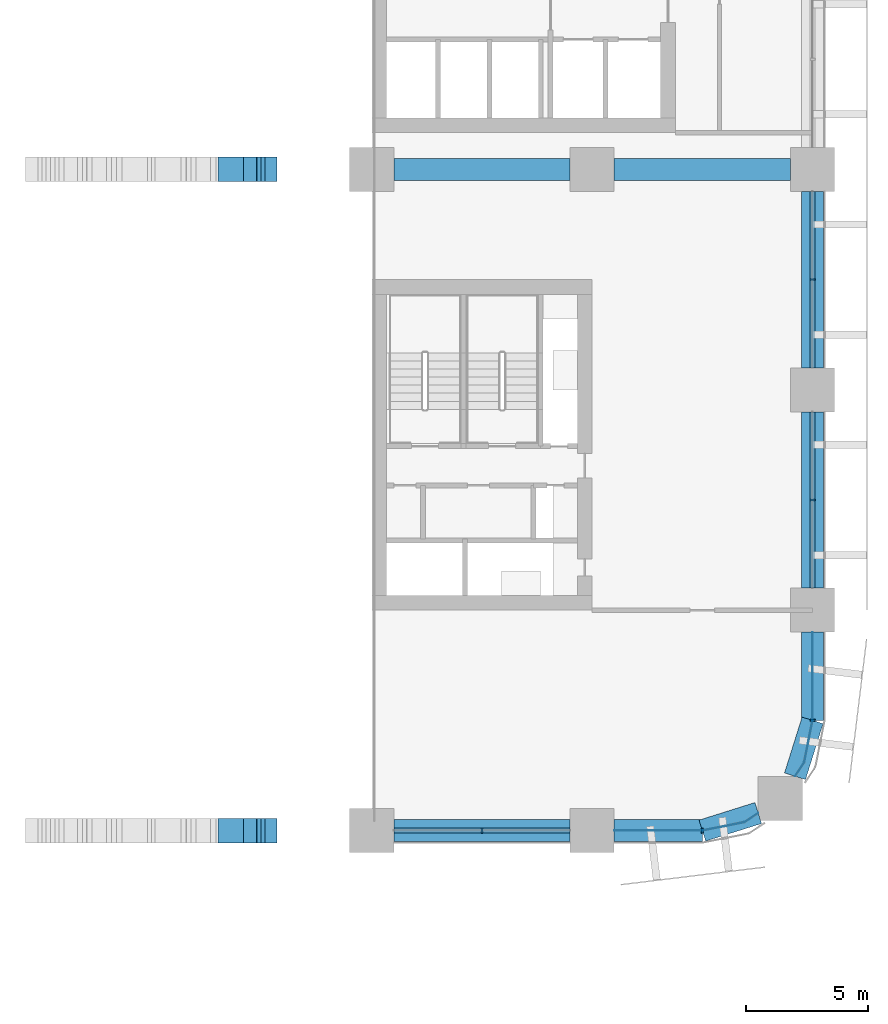
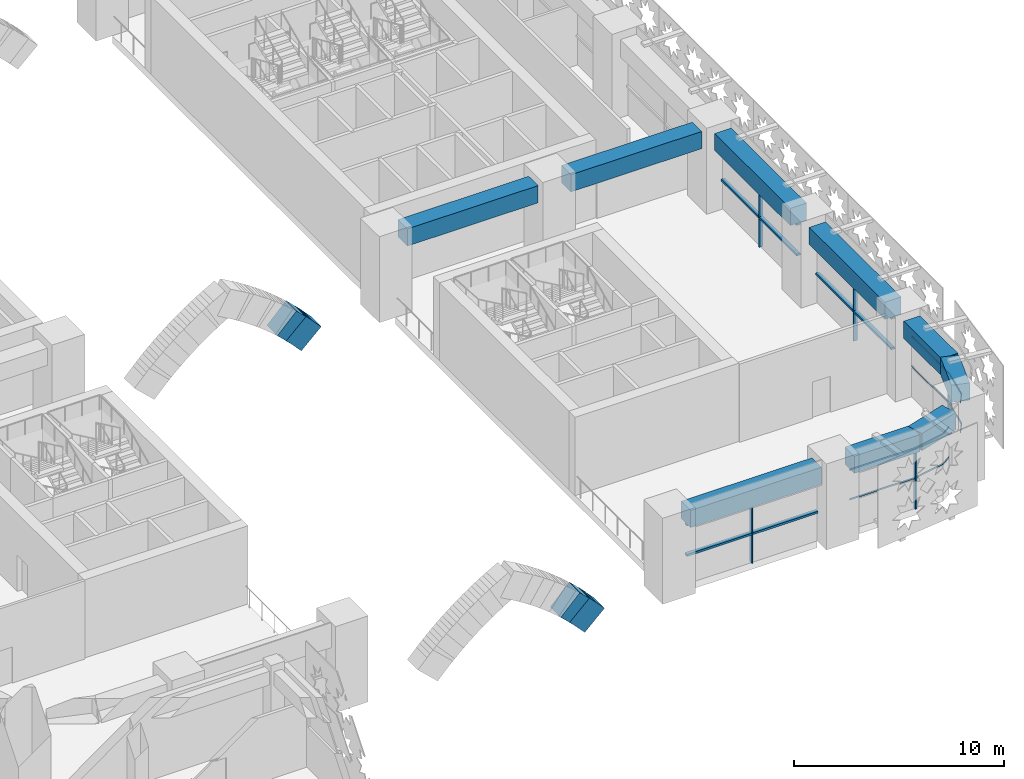
# One storey, part 6 of 40: 19 members, 9 beams, 5 elements without a shape of their own.
"""IFC4 building model written with IfcOpenShell, lengths in metres."""

from ifc_helpers import new_model, si_unit, direction, frame, origin, origin_2d, place, context, subcontext, project, spatial, polyline, rectangle, outline, extrude, material, material_profile, profile_set, type_object, element, aggregate, save


model = new_model("IFC4")

# Units and contexts
model_context = context("Model", 3, precision=1e-05, world=origin(), true_north=direction((0.0, 1.0)))
body_context = subcontext(model_context, "Body", "Model", "MODEL_VIEW")
ifc_project = project(units=[si_unit("LENGTHUNIT", "METRE"), si_unit("AREAUNIT", "SQUARE_METRE"), si_unit("VOLUMEUNIT", "CUBIC_METRE"), si_unit("PLANEANGLEUNIT", "RADIAN"), si_unit("MASSUNIT", "GRAM", prefix="KILO")], contexts=[model_context])

# Site, building, storey
site_placement = place(None, origin())
site = spatial("IfcSite", under=ifc_project, at=site_placement, CompositionType="ELEMENT")
building_placement = place(site_placement, origin())
building = spatial("IfcBuilding", under=site, at=building_placement, Name="Tessera Arch", CompositionType="ELEMENT")
storey_placement = place(building_placement, frame((0.0, 0.0, 21.0)))
storey = spatial("IfcBuildingStorey", under=building, at=storey_placement, Name="L03", CompositionType="ELEMENT", Elevation=21.0)

# Members
ifc_material_1 = material(Name="Concrete C80/95", Category="concrete")
ifc_material_profile_1 = material_profile(ifc_material_1, rectangle(XDim=1.0, YDim=1.5, at=origin_2d()), Name="RC 1000x1500")
ifc_profile_set_1 = profile_set([ifc_material_profile_1], Name="Concrete C80/95")
member_type_1 = type_object("IfcMemberType", Name="Arch rib RC 1000x1500", PredefinedType="MEMBER", material=ifc_profile_set_1)
for number, where, z_axis, x_axis, name in (
    (1, (31.590576171875, 0.0, 0.057861328125), (-0.686468964072, 0.0, 0.727159103199), (0.0, -1.0, 0.0), "Arch rib A segment 25"),
    (2, (31.113525390625, 0.0, 0.57861328125), (-0.716556380698, 0.0, 0.697529177369), (0.0, -1.0, 0.0), "Arch rib A segment 26"),
    (3, (31.590576171875, 27.0, 0.057861328125), (-0.686468964072, 0.0, 0.727159103199), (0.0, -1.0, 0.0), "Arch rib B segment 25"),
    (4, (31.113525390625, 27.0, 0.57861328125), (-0.716556380698, 0.0, 0.697529177369), (0.0, -1.0, 0.0), "Arch rib B segment 26"),
):
    element("IfcMember", number, at=place(storey_placement, frame(where, z_axis=z_axis, x_axis=x_axis)), inside=storey, type_object=member_type_1, Name=name, PredefinedType="MEMBER", context=body_context, shape_type="SweptSolid", body=[
        extrude(rectangle(XDim=1.0, YDim=1.5, at=origin_2d()), origin(), (0.0, 0.0, 1.0), 1.2060546875),
    ])

# Curtain wall, member
ifc_material_2 = material(Name="CW2 curtain wall")
curtain_wall_type_1 = type_object("IfcCurtainWallType", Name="CW2 curtain wall", PredefinedType="NOTDEFINED", material=ifc_material_2)
curtain_wall_1_placement = place(storey_placement, origin())
curtain_wall_1 = element("IfcCurtainWall", 5, at=curtain_wall_1_placement, inside=storey, type_object=curtain_wall_type_1, Name="CW2 curtain wall S0.36/1 L03", PredefinedType="NOTDEFINED")
ifc_material_3 = material(Name="Anodised aluminium pale metal", Category="aluminium")
ifc_material_profile_2 = material_profile(ifc_material_3, rectangle(XDim=0.199951171875, YDim=0.080078125, at=origin_2d()), Name="AL 80x200")
ifc_profile_set_2 = profile_set([ifc_material_profile_2], Name="Anodised aluminium pale metal")
member_type_2 = type_object("IfcMemberType", Name="CW2 mullion", PredefinedType="MULLION", material=ifc_profile_set_2)
member_1_placement = place(storey_placement, frame((49.5, 0.0, 0.0), z_axis=(0.0, 0.0, 1.0), x_axis=(0.0, 1.0, 0.0)))
member_1 = element("IfcMember", 6, at=member_1_placement, type_object=member_type_2, Name="CW2 mullion S0.36/1 1", PredefinedType="MULLION", context=body_context, shape_type="SweptSolid", body=[
    extrude(rectangle(XDim=0.199951171875, YDim=0.080078125, at=origin_2d()), origin(), (0.0, 0.0, 1.0), 3.449951171875),
])

curtain_wall_2_placement = place(storey_placement, origin())
curtain_wall_2 = element("IfcCurtainWall", 7, at=curtain_wall_2_placement, inside=storey, type_object=curtain_wall_type_1, Name="CW2 curtain wall E54.0/5 L03", PredefinedType="NOTDEFINED")
member_2_placement = place(storey_placement, frame((54.0, 4.5, 0.0), z_axis=(0.0, 0.0, 1.0), x_axis=(-1.0, 0.0, 0.0)))
member_2 = element("IfcMember", 8, at=member_2_placement, type_object=member_type_2, Name="CW2 mullion E54.0/5 1", PredefinedType="MULLION", context=body_context, shape_type="SweptSolid", body=[
    extrude(rectangle(XDim=0.199951171875, YDim=0.080078125, at=origin_2d()), origin(), (0.0, 0.0, 1.0), 3.449951171875),
])

# Member
ifc_material_4 = material(Name="Anodised aluminium pale metal", Category="aluminium")
ifc_material_profile_3 = material_profile(ifc_material_4, rectangle(XDim=0.199951171875, YDim=0.10009765625, at=origin_2d()), Name="AL 200x100")
ifc_profile_set_3 = profile_set([ifc_material_profile_3], Name="Anodised aluminium pale metal")
member_type_3 = type_object("IfcMemberType", Name="CW2 transom", PredefinedType="USERDEFINED", material=ifc_profile_set_3)
member_3_placement = place(storey_placement, frame((0.0, 0.0, 1.72509765625)))
member_3 = element("IfcMember", 9, at=member_3_placement, type_object=member_type_3, Name="CW2 transom S0.36/1 1", ObjectType="TRANSOM", PredefinedType="USERDEFINED", context=body_context, shape_type="SweptSolid", body=[
    extrude(outline(polyline([(49.4990234375, 0.010009765625), (45.89990234375, 0.010009765625), (45.89990234375, -0.010009765625), (49.5009765625, -0.010009765625), (51.22607421875, 0.3330078125), (51.78759765625, 0.70849609375), (51.7763671875, 0.72509765625), (51.21826171875, 0.351806640625), (49.4990234375, 0.010009765625)])), origin(), (0.0, 0.0, 1.0), 0.099853515625),
])

member_4_placement = place(storey_placement, frame((0.0, 0.0, 3.449951171875)))
member_4 = element("IfcMember", 10, at=member_4_placement, type_object=member_type_3, Name="CW2 transom S0.36/1 2", ObjectType="TRANSOM", PredefinedType="USERDEFINED", context=body_context, shape_type="SweptSolid", body=[
    extrude(outline(polyline([(49.4990234375, 0.010009765625), (45.89990234375, 0.010009765625), (45.89990234375, -0.010009765625), (49.5009765625, -0.010009765625), (51.22607421875, 0.3330078125), (51.78759765625, 0.70849609375), (51.7763671875, 0.72509765625), (51.21826171875, 0.351806640625), (49.4990234375, 0.010009765625)])), origin(), (0.0, 0.0, 1.0), 0.10009765625),
])

aggregate(curtain_wall_1, [member_1, member_3, member_4])

member_5_placement = place(storey_placement, frame((0.0, 0.0, 1.72509765625)))
member_5 = element("IfcMember", 11, at=member_5_placement, type_object=member_type_3, Name="CW2 transom E54.0/5 1", ObjectType="TRANSOM", PredefinedType="USERDEFINED", context=body_context, shape_type="SweptSolid", body=[
    extrude(outline(polyline([(53.648193359375, 2.78173828125), (53.27490234375, 2.2236328125), (53.29150390625, 2.21240234375), (53.6669921875, 2.77392578125), (54.010009765625, 4.4990234375), (54.010009765625, 8.10009765625), (53.989990234375, 8.10009765625), (53.989990234375, 4.5009765625), (53.648193359375, 2.78173828125)])), origin(), (0.0, 0.0, 1.0), 0.099853515625),
])

member_6_placement = place(storey_placement, frame((0.0, 0.0, 3.449951171875)))
member_6 = element("IfcMember", 12, at=member_6_placement, type_object=member_type_3, Name="CW2 transom E54.0/5 2", ObjectType="TRANSOM", PredefinedType="USERDEFINED", context=body_context, shape_type="SweptSolid", body=[
    extrude(outline(polyline([(53.648193359375, 2.78173828125), (53.27490234375, 2.2236328125), (53.29150390625, 2.21240234375), (53.6669921875, 2.77392578125), (54.010009765625, 4.4990234375), (54.010009765625, 8.10009765625), (53.989990234375, 8.10009765625), (53.989990234375, 4.5009765625), (53.648193359375, 2.78173828125)])), origin(), (0.0, 0.0, 1.0), 0.10009765625),
])

aggregate(curtain_wall_2, [member_2, member_5, member_6])

# Curtain wall, member
ifc_material_5 = material(Name="CW6 curtain wall")
curtain_wall_type_2 = type_object("IfcCurtainWallType", Name="CW6 curtain wall", PredefinedType="NOTDEFINED", material=ifc_material_5)
curtain_wall_3_placement = place(storey_placement, origin())
curtain_wall_3 = element("IfcCurtainWall", 13, at=curtain_wall_3_placement, inside=storey, type_object=curtain_wall_type_2, Name="CW6 curtain wall E54.0/0 L03", PredefinedType="NOTDEFINED")
ifc_material_6 = material(Name="Anodised aluminium pale metal", Category="aluminium")
ifc_material_profile_4 = material_profile(ifc_material_6, rectangle(XDim=0.199951171875, YDim=0.070068359375, at=origin_2d()), Name="AL 70x200")
ifc_profile_set_4 = profile_set([ifc_material_profile_4], Name="Anodised aluminium pale metal")
member_type_4 = type_object("IfcMemberType", Name="CW6 mullion", PredefinedType="MULLION", material=ifc_profile_set_4)
member_7_placement = place(storey_placement, frame((54.0, 13.5, 0.0), z_axis=(0.0, 0.0, 1.0), x_axis=(-1.0, 0.0, 0.0)))
member_7 = element("IfcMember", 14, at=member_7_placement, type_object=member_type_4, Name="CW6 mullion E54.0/0 1", PredefinedType="MULLION", context=body_context, shape_type="SweptSolid", body=[
    extrude(rectangle(XDim=0.199951171875, YDim=0.070068359375, at=origin_2d()), origin(), (0.0, 0.0, 1.0), 3.429931640625),
])

curtain_wall_4_placement = place(storey_placement, origin())
curtain_wall_4 = element("IfcCurtainWall", 15, at=curtain_wall_4_placement, inside=storey, type_object=curtain_wall_type_2, Name="CW6 curtain wall E54.0/1 L03", PredefinedType="NOTDEFINED")
member_8_placement = place(storey_placement, frame((54.0, 22.5, 0.0), z_axis=(0.0, 0.0, 1.0), x_axis=(-1.0, 0.0, 0.0)))
member_8 = element("IfcMember", 16, at=member_8_placement, type_object=member_type_4, Name="CW6 mullion E54.0/1 1", PredefinedType="MULLION", context=body_context, shape_type="SweptSolid", body=[
    extrude(rectangle(XDim=0.199951171875, YDim=0.070068359375, at=origin_2d()), origin(), (0.0, 0.0, 1.0), 3.429931640625),
])

curtain_wall_5_placement = place(storey_placement, origin())
curtain_wall_5 = element("IfcCurtainWall", 17, at=curtain_wall_5_placement, inside=storey, type_object=curtain_wall_type_2, Name="CW6 curtain wall S0.36/0 L03", PredefinedType="NOTDEFINED")
member_9_placement = place(storey_placement, frame((40.5, 0.0, 0.0), z_axis=(0.0, 0.0, 1.0), x_axis=(0.0, 1.0, 0.0)))
member_9 = element("IfcMember", 18, at=member_9_placement, type_object=member_type_4, Name="CW6 mullion S0.36/0 1", PredefinedType="MULLION", context=body_context, shape_type="SweptSolid", body=[
    extrude(rectangle(XDim=0.199951171875, YDim=0.070068359375, at=origin_2d()), origin(), (0.0, 0.0, 1.0), 3.429931640625),
])

# Member
ifc_material_7 = material(Name="Anodised aluminium pale metal", Category="aluminium")
ifc_material_profile_5 = material_profile(ifc_material_7, rectangle(XDim=0.199951171875, YDim=0.1201171875, at=origin_2d()), Name="AL 200x120")
ifc_profile_set_5 = profile_set([ifc_material_profile_5], Name="Anodised aluminium pale metal")
member_type_5 = type_object("IfcMemberType", Name="CW6 transom", PredefinedType="USERDEFINED", material=ifc_profile_set_5)
member_10_placement = place(storey_placement, frame((54.0, 9.89990234375, 3.489990234375), z_axis=(0.0, 1.0, 0.0), x_axis=(-1.0, 0.0, 0.0)))
member_10 = element("IfcMember", 19, at=member_10_placement, type_object=member_type_5, Name="CW6 transom E54.0/0 1.1", ObjectType="TRANSOM", PredefinedType="USERDEFINED", context=body_context, shape_type="SweptSolid", body=[
    extrude(rectangle(XDim=0.199951171875, YDim=0.1201171875, at=origin_2d()), origin(), (0.0, 0.0, 1.0), 7.2001953125),
])

member_11_placement = place(storey_placement, frame((54.0, 9.89990234375, 1.715087890625), z_axis=(0.0, 1.0, 0.0), x_axis=(-1.0, 0.0, 0.0)))
member_11 = element("IfcMember", 20, at=member_11_placement, type_object=member_type_5, Name="CW6 transom E54.0/0 2.1", ObjectType="TRANSOM", PredefinedType="USERDEFINED", context=body_context, shape_type="SweptSolid", body=[
    extrude(rectangle(XDim=0.199951171875, YDim=0.1201171875, at=origin_2d()), origin(), (0.0, 0.0, 1.0), 7.2001953125),
])

aggregate(curtain_wall_3, [member_7, member_10, member_11])

member_12_placement = place(storey_placement, frame((54.0, 18.89990234375, 3.489990234375), z_axis=(0.0, 1.0, 0.0), x_axis=(-1.0, 0.0, 0.0)))
member_12 = element("IfcMember", 21, at=member_12_placement, type_object=member_type_5, Name="CW6 transom E54.0/1 1.1", ObjectType="TRANSOM", PredefinedType="USERDEFINED", context=body_context, shape_type="SweptSolid", body=[
    extrude(rectangle(XDim=0.199951171875, YDim=0.1201171875, at=origin_2d()), origin(), (0.0, 0.0, 1.0), 7.2001953125),
])

member_13_placement = place(storey_placement, frame((54.0, 18.89990234375, 1.715087890625), z_axis=(0.0, 1.0, 0.0), x_axis=(-1.0, 0.0, 0.0)))
member_13 = element("IfcMember", 22, at=member_13_placement, type_object=member_type_5, Name="CW6 transom E54.0/1 2.1", ObjectType="TRANSOM", PredefinedType="USERDEFINED", context=body_context, shape_type="SweptSolid", body=[
    extrude(rectangle(XDim=0.199951171875, YDim=0.1201171875, at=origin_2d()), origin(), (0.0, 0.0, 1.0), 7.2001953125),
])

aggregate(curtain_wall_4, [member_8, member_12, member_13])

member_14_placement = place(storey_placement, frame((36.89990234375, 0.0, 3.489990234375), z_axis=(1.0, 0.0, 0.0), x_axis=(0.0, 1.0, 0.0)))
member_14 = element("IfcMember", 23, at=member_14_placement, type_object=member_type_5, Name="CW6 transom S0.36/0 1.1", ObjectType="TRANSOM", PredefinedType="USERDEFINED", context=body_context, shape_type="SweptSolid", body=[
    extrude(rectangle(XDim=0.199951171875, YDim=0.1201171875, at=origin_2d()), origin(), (0.0, 0.0, 1.0), 7.2001953125),
])

member_15_placement = place(storey_placement, frame((36.89990234375, 0.0, 1.715087890625), z_axis=(1.0, 0.0, 0.0), x_axis=(0.0, 1.0, 0.0)))
member_15 = element("IfcMember", 24, at=member_15_placement, type_object=member_type_5, Name="CW6 transom S0.36/0 2.1", ObjectType="TRANSOM", PredefinedType="USERDEFINED", context=body_context, shape_type="SweptSolid", body=[
    extrude(rectangle(XDim=0.199951171875, YDim=0.1201171875, at=origin_2d()), origin(), (0.0, 0.0, 1.0), 7.2001953125),
])

aggregate(curtain_wall_5, [member_9, member_14, member_15])

# Beams
ifc_material_8 = material(Name="Concrete C80/95", Category="concrete")
ifc_material_profile_6 = material_profile(ifc_material_8, rectangle(XDim=0.89990234375, YDim=1.0, at=origin_2d()), Name="RC spandrel beam 900 x 1000 Concrete C80/95")
ifc_profile_set_6 = profile_set([ifc_material_profile_6], Name="Concrete C80/95")
beam_type = type_object("IfcBeamType", Name="RC spandrel beam 900 x 1000 Concrete C80/95", PredefinedType="BEAM", material=ifc_profile_set_6)
for number, where, z_axis, x_axis, name in (
    (25, (54.0, 9.89990234375, 4.050048828125), (0.0, 1.0, 0.0), (-1.0, 0.0, 0.0), "Spandrel beam L03 E54.0/0"),
    (26, (54.0, 18.89990234375, 4.050048828125), (0.0, 1.0, 0.0), (-1.0, 0.0, 0.0), "Spandrel beam L03 E54.0/1"),
    (27, (36.89990234375, 0.0, 4.050048828125), (1.0, 0.0, 0.0), (0.0, 1.0, 0.0), "Spandrel beam L03 S0.36/0"),
):
    element("IfcBeam", number, at=place(storey_placement, frame(where, z_axis=z_axis, x_axis=x_axis)), inside=storey, type_object=beam_type, Name=name, PredefinedType="BEAM", context=body_context, shape_type="SweptSolid", body=[
        extrude(rectangle(XDim=0.89990234375, YDim=1.0, at=origin_2d()), origin(), (0.0, 0.0, 1.0), 7.2001953125),
    ])
beam_1_placement = place(storey_placement, frame((45.89990234375, 0.0, 4.050048828125), z_axis=(1.0, 0.0, 0.0), x_axis=(0.0, 1.0, 0.0)))
element("IfcBeam", 28, at=beam_1_placement, inside=storey, type_object=beam_type, Name="Spandrel beam L03 S0.36/1.1", PredefinedType="BEAM", context=body_context, shape_type="SweptSolid", body=[
    extrude(rectangle(XDim=0.89990234375, YDim=1.0, at=origin_2d()), origin(), (0.0, 0.0, 1.0), 3.60009765625),
])
for number, where, z_axis, x_axis, name in (
    (29, (49.5, 0.0, 4.050048828125), (0.954041251279, 0.299675309057, 0.0), (-0.299675309057, 0.954041251279, 0.0), "Spandrel beam L03 S0.36/1.2"),
    (30, (53.283203125, 2.218017578125, 4.050048828125), (0.299675309057, 0.954041251279, 0.0), (-0.954041251279, 0.299675309057, 0.0), "Spandrel beam L03 E54.0/5.1"),
):
    element("IfcBeam", number, at=place(storey_placement, frame(where, z_axis=z_axis, x_axis=x_axis)), inside=storey, type_object=beam_type, Name=name, PredefinedType="BEAM", context=body_context, shape_type="SweptSolid", body=[
        extrude(rectangle(XDim=0.89990234375, YDim=1.0, at=origin_2d()), origin(), (0.0, 0.0, 1.0), 2.391845703125),
    ])
beam_2_placement = place(storey_placement, frame((54.0, 4.5, 4.050048828125), z_axis=(0.0, 1.0, 0.0), x_axis=(-1.0, 0.0, 0.0)))
element("IfcBeam", 31, at=beam_2_placement, inside=storey, type_object=beam_type, Name="Spandrel beam L03 E54.0/5.2", PredefinedType="BEAM", context=body_context, shape_type="SweptSolid", body=[
    extrude(rectangle(XDim=0.89990234375, YDim=1.0, at=origin_2d()), origin(), (0.0, 0.0, 1.0), 3.60009765625),
])
for number, where, z_axis, x_axis, name in (
    (32, (36.89990234375, 27.0, 4.050048828125), (1.0, 0.0, 0.0), (0.0, 1.0, 0.0), "Interface beam L03 I1C5D-C6D"),
    (33, (45.89990234375, 27.0, 4.050048828125), (1.0, 0.0, 0.0), (0.0, 1.0, 0.0), "Interface beam L03 I1C6D-C7D"),
):
    element("IfcBeam", number, at=place(storey_placement, frame(where, z_axis=z_axis, x_axis=x_axis)), inside=storey, type_object=beam_type, Name=name, PredefinedType="BEAM", context=body_context, shape_type="SweptSolid", body=[
        extrude(rectangle(XDim=0.89990234375, YDim=1.0, at=origin_2d()), origin(), (0.0, 0.0, 1.0), 7.2001953125),
    ])

save(model, "model.ifc")
